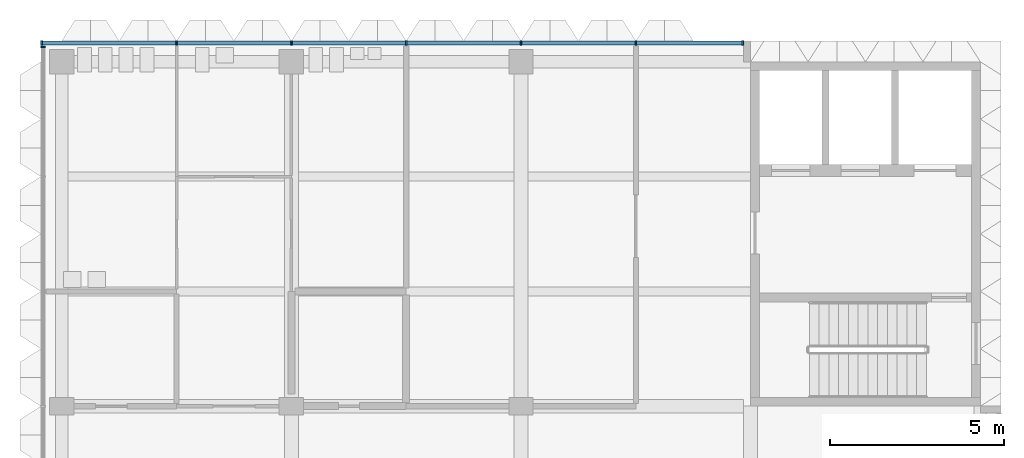
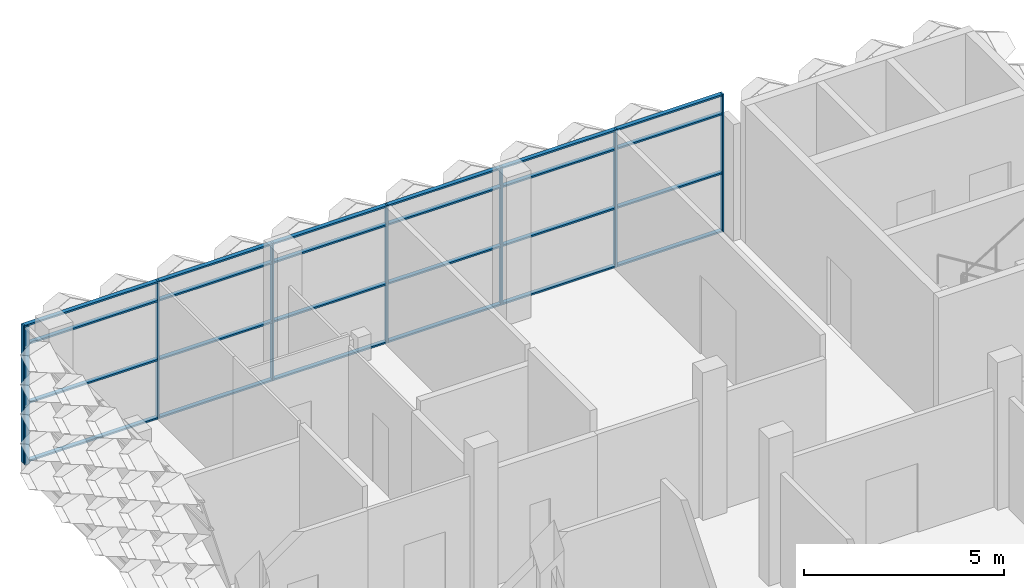
# One storey, part 6 of 28: 32 members, 2 elements without a shape of their own.
"""IFC4 building model written with IfcOpenShell, lengths in metres."""

from ifc_helpers import new_model, si_unit, direction, frame, origin, origin_2d, place, context, subcontext, project, spatial, rectangle, extrude, material, material_profile, profile_set, type_object, element, aggregate, save


model = new_model("IFC4")

# Units and contexts
model_context = context("Model", 3, precision=1e-05, world=origin(), true_north=direction((0.0, 1.0)))
body_context = subcontext(model_context, "Body", "Model", "MODEL_VIEW")
ifc_project = project(units=[si_unit("LENGTHUNIT", "METRE"), si_unit("AREAUNIT", "SQUARE_METRE"), si_unit("VOLUMEUNIT", "CUBIC_METRE"), si_unit("PLANEANGLEUNIT", "RADIAN"), si_unit("MASSUNIT", "GRAM", prefix="KILO")], contexts=[model_context])

# Site, building, storey
site_placement = place(None, origin())
site = spatial("IfcSite", under=ifc_project, at=site_placement, CompositionType="ELEMENT")
building_placement = place(site_placement, origin())
building = spatial("IfcBuilding", under=site, at=building_placement, Name="Lantern Court Research Institute", CompositionType="ELEMENT")
storey_placement = place(building_placement, frame((0.0, 0.0, 36.89990234375)))
storey = spatial("IfcBuildingStorey", under=building, at=storey_placement, Name="L08", CompositionType="ELEMENT", Elevation=36.89990234375)

# Curtain wall, members
ifc_material_1 = material(Name="Aluminium alloy 6063-T6", Category="aluminium")
curtain_wall_type_1 = type_object("IfcCurtainWallType", Name="Curtain wall 20200 x 4200 x 120 aluminium frame", PredefinedType="NOTDEFINED", material=ifc_material_1)
curtain_wall_1_placement = place(storey_placement, origin())
curtain_wall_1 = element("IfcCurtainWall", 1, at=curtain_wall_1_placement, inside=storey, type_object=curtain_wall_type_1, Name="Curtain wall CW086", PredefinedType="NOTDEFINED")
ifc_material_2 = material(Name="Aluminium alloy 6063-T6", Category="aluminium")
ifc_material_profile_1 = material_profile(ifc_material_2, rectangle(XDim=0.1201171875, YDim=0.050048828125, at=origin_2d()), Name="Mullion 120 x 50")
ifc_profile_set_1 = profile_set([ifc_material_profile_1], Name="Aluminium alloy 6063-T6")
member_type_1 = type_object("IfcMemberType", Name="Mullion 120 x 50 aluminium", PredefinedType="MULLION", material=ifc_profile_set_1)
member_1_placement = place(storey_placement, frame((52.22509765625, 23.639892578125, 0.0), z_axis=(0.0, 0.0, 1.0), x_axis=(0.0, 1.0, 0.0)))
member_1 = element("IfcMember", 2, at=member_1_placement, type_object=member_type_1, Name="CW086 mullion 1", PredefinedType="MULLION", context=body_context, shape_type="SweptSolid", body=[
    extrude(rectangle(XDim=0.1201171875, YDim=0.050048828125, at=origin_2d()), origin(), (0.0, 0.0, 1.0), 4.2001953125),
])
member_2_placement = place(storey_placement, frame((56.10009765625, 23.639892578125, 0.0), z_axis=(0.0, 0.0, 1.0), x_axis=(0.0, 1.0, 0.0)))
member_2 = element("IfcMember", 3, at=member_2_placement, type_object=member_type_1, Name="CW086 mullion 2", PredefinedType="MULLION", context=body_context, shape_type="SweptSolid", body=[
    extrude(rectangle(XDim=0.1201171875, YDim=0.050048828125, at=origin_2d()), origin(), (0.0, 0.0, 1.0), 4.2001953125),
])
member_3_placement = place(storey_placement, frame((59.39990234375, 23.639892578125, 0.0), z_axis=(0.0, 0.0, 1.0), x_axis=(0.0, 1.0, 0.0)))
member_3 = element("IfcMember", 4, at=member_3_placement, type_object=member_type_1, Name="CW086 mullion 3", PredefinedType="MULLION", context=body_context, shape_type="SweptSolid", body=[
    extrude(rectangle(XDim=0.1201171875, YDim=0.050048828125, at=origin_2d()), origin(), (0.0, 0.0, 1.0), 4.2001953125),
])
member_4_placement = place(storey_placement, frame((62.699951171875, 23.639892578125, 0.0), z_axis=(0.0, 0.0, 1.0), x_axis=(0.0, 1.0, 0.0)))
member_4 = element("IfcMember", 5, at=member_4_placement, type_object=member_type_1, Name="CW086 mullion 4", PredefinedType="MULLION", context=body_context, shape_type="SweptSolid", body=[
    extrude(rectangle(XDim=0.1201171875, YDim=0.050048828125, at=origin_2d()), origin(), (0.0, 0.0, 1.0), 4.2001953125),
])
member_5_placement = place(storey_placement, frame((66.0, 23.639892578125, 0.0), z_axis=(0.0, 0.0, 1.0), x_axis=(0.0, 1.0, 0.0)))
member_5 = element("IfcMember", 6, at=member_5_placement, type_object=member_type_1, Name="CW086 mullion 5", PredefinedType="MULLION", context=body_context, shape_type="SweptSolid", body=[
    extrude(rectangle(XDim=0.1201171875, YDim=0.050048828125, at=origin_2d()), origin(), (0.0, 0.0, 1.0), 4.2001953125),
])
member_6_placement = place(storey_placement, frame((69.300048828125, 23.639892578125, 0.0), z_axis=(0.0, 0.0, 1.0), x_axis=(0.0, 1.0, 0.0)))
member_6 = element("IfcMember", 7, at=member_6_placement, type_object=member_type_1, Name="CW086 mullion 6", PredefinedType="MULLION", context=body_context, shape_type="SweptSolid", body=[
    extrude(rectangle(XDim=0.1201171875, YDim=0.050048828125, at=origin_2d()), origin(), (0.0, 0.0, 1.0), 4.2001953125),
])
member_7_placement = place(storey_placement, frame((72.375, 23.639892578125, 0.0), z_axis=(0.0, 0.0, 1.0), x_axis=(0.0, 1.0, 0.0)))
member_7 = element("IfcMember", 8, at=member_7_placement, type_object=member_type_1, Name="CW086 mullion 7", PredefinedType="MULLION", context=body_context, shape_type="SweptSolid", body=[
    extrude(rectangle(XDim=0.1201171875, YDim=0.050048828125, at=origin_2d()), origin(), (0.0, 0.0, 1.0), 4.2001953125),
])

# Curtain wall, member
ifc_material_3 = material(Name="Aluminium alloy 6063-T6", Category="aluminium")
curtain_wall_type_2 = type_object("IfcCurtainWallType", Name="Curtain wall 21250 x 4200 x 120 aluminium frame", PredefinedType="NOTDEFINED", material=ifc_material_3)
curtain_wall_2_placement = place(storey_placement, origin())
curtain_wall_2 = element("IfcCurtainWall", 9, at=curtain_wall_2_placement, inside=storey, type_object=curtain_wall_type_2, Name="Curtain wall CW088", PredefinedType="NOTDEFINED")
member_8_placement = place(storey_placement, frame((52.260009765625, 23.52490234375, 0.0), z_axis=(0.0, 0.0, 1.0), x_axis=(-1.0, 0.0, 0.0)))
member_8 = element("IfcMember", 10, at=member_8_placement, type_object=member_type_1, Name="CW088 mullion 8", PredefinedType="MULLION", context=body_context, shape_type="SweptSolid", body=[
    extrude(rectangle(XDim=0.1201171875, YDim=0.050048828125, at=origin_2d()), origin(), (0.0, 0.0, 1.0), 4.2001953125),
])
aggregate(curtain_wall_2, [member_8])

# Member
ifc_material_4 = material(Name="Aluminium alloy 6063-T6", Category="aluminium")
ifc_material_profile_2 = material_profile(ifc_material_4, rectangle(XDim=0.1201171875, YDim=0.050048828125, at=origin_2d()), Name="Transom 120 x 50")
ifc_profile_set_2 = profile_set([ifc_material_profile_2], Name="Aluminium alloy 6063-T6")
member_type_2 = type_object("IfcMemberType", Name="Transom 120 x 50 aluminium", PredefinedType="USERDEFINED", material=ifc_profile_set_2)
member_9_placement = place(storey_placement, frame((52.25, 23.639892578125, 0.025146484375), z_axis=(1.0, 0.0, 0.0), x_axis=(0.0, 1.0, 0.0)))
member_9 = element("IfcMember", 11, at=member_9_placement, type_object=member_type_2, Name="CW086 transom 1.1", ObjectType="TRANSOM", PredefinedType="USERDEFINED", context=body_context, shape_type="SweptSolid", body=[
    extrude(rectangle(XDim=0.1201171875, YDim=0.050048828125, at=origin_2d()), origin(), (0.0, 0.0, 1.0), 3.824951171875),
])

member_10_placement = place(storey_placement, frame((52.25, 23.639892578125, 1.800048828125), z_axis=(1.0, 0.0, 0.0), x_axis=(0.0, 1.0, 0.0)))
member_10 = element("IfcMember", 12, at=member_10_placement, type_object=member_type_2, Name="CW086 transom 1.2", ObjectType="TRANSOM", PredefinedType="USERDEFINED", context=body_context, shape_type="SweptSolid", body=[
    extrude(rectangle(XDim=0.1201171875, YDim=0.050048828125, at=origin_2d()), origin(), (0.0, 0.0, 1.0), 3.824951171875),
])

member_11_placement = place(storey_placement, frame((52.25, 23.639892578125, 3.60009765625), z_axis=(1.0, 0.0, 0.0), x_axis=(0.0, 1.0, 0.0)))
member_11 = element("IfcMember", 13, at=member_11_placement, type_object=member_type_2, Name="CW086 transom 1.3", ObjectType="TRANSOM", PredefinedType="USERDEFINED", context=body_context, shape_type="SweptSolid", body=[
    extrude(rectangle(XDim=0.1201171875, YDim=0.050048828125, at=origin_2d()), origin(), (0.0, 0.0, 1.0), 3.824951171875),
])

member_12_placement = place(storey_placement, frame((52.25, 23.639892578125, 4.175048828125), z_axis=(1.0, 0.0, 0.0), x_axis=(0.0, 1.0, 0.0)))
member_12 = element("IfcMember", 14, at=member_12_placement, type_object=member_type_2, Name="CW086 transom 1.4", ObjectType="TRANSOM", PredefinedType="USERDEFINED", context=body_context, shape_type="SweptSolid", body=[
    extrude(rectangle(XDim=0.1201171875, YDim=0.050048828125, at=origin_2d()), origin(), (0.0, 0.0, 1.0), 3.824951171875),
])

member_13_placement = place(storey_placement, frame((56.125, 23.639892578125, 0.025146484375), z_axis=(1.0, 0.0, 0.0), x_axis=(0.0, 1.0, 0.0)))
member_13 = element("IfcMember", 15, at=member_13_placement, type_object=member_type_2, Name="CW086 transom 2.1", ObjectType="TRANSOM", PredefinedType="USERDEFINED", context=body_context, shape_type="SweptSolid", body=[
    extrude(rectangle(XDim=0.1201171875, YDim=0.050048828125, at=origin_2d()), origin(), (0.0, 0.0, 1.0), 3.25),
])

member_14_placement = place(storey_placement, frame((56.125, 23.639892578125, 1.800048828125), z_axis=(1.0, 0.0, 0.0), x_axis=(0.0, 1.0, 0.0)))
member_14 = element("IfcMember", 16, at=member_14_placement, type_object=member_type_2, Name="CW086 transom 2.2", ObjectType="TRANSOM", PredefinedType="USERDEFINED", context=body_context, shape_type="SweptSolid", body=[
    extrude(rectangle(XDim=0.1201171875, YDim=0.050048828125, at=origin_2d()), origin(), (0.0, 0.0, 1.0), 3.25),
])

member_15_placement = place(storey_placement, frame((56.125, 23.639892578125, 3.60009765625), z_axis=(1.0, 0.0, 0.0), x_axis=(0.0, 1.0, 0.0)))
member_15 = element("IfcMember", 17, at=member_15_placement, type_object=member_type_2, Name="CW086 transom 2.3", ObjectType="TRANSOM", PredefinedType="USERDEFINED", context=body_context, shape_type="SweptSolid", body=[
    extrude(rectangle(XDim=0.1201171875, YDim=0.050048828125, at=origin_2d()), origin(), (0.0, 0.0, 1.0), 3.25),
])

member_16_placement = place(storey_placement, frame((56.125, 23.639892578125, 4.175048828125), z_axis=(1.0, 0.0, 0.0), x_axis=(0.0, 1.0, 0.0)))
member_16 = element("IfcMember", 18, at=member_16_placement, type_object=member_type_2, Name="CW086 transom 2.4", ObjectType="TRANSOM", PredefinedType="USERDEFINED", context=body_context, shape_type="SweptSolid", body=[
    extrude(rectangle(XDim=0.1201171875, YDim=0.050048828125, at=origin_2d()), origin(), (0.0, 0.0, 1.0), 3.25),
])

member_17_placement = place(storey_placement, frame((59.425048828125, 23.639892578125, 0.025146484375), z_axis=(1.0, 0.0, 0.0), x_axis=(0.0, 1.0, 0.0)))
member_17 = element("IfcMember", 19, at=member_17_placement, type_object=member_type_2, Name="CW086 transom 3.1", ObjectType="TRANSOM", PredefinedType="USERDEFINED", context=body_context, shape_type="SweptSolid", body=[
    extrude(rectangle(XDim=0.1201171875, YDim=0.050048828125, at=origin_2d()), origin(), (0.0, 0.0, 1.0), 3.25),
])

member_18_placement = place(storey_placement, frame((59.425048828125, 23.639892578125, 1.800048828125), z_axis=(1.0, 0.0, 0.0), x_axis=(0.0, 1.0, 0.0)))
member_18 = element("IfcMember", 20, at=member_18_placement, type_object=member_type_2, Name="CW086 transom 3.2", ObjectType="TRANSOM", PredefinedType="USERDEFINED", context=body_context, shape_type="SweptSolid", body=[
    extrude(rectangle(XDim=0.1201171875, YDim=0.050048828125, at=origin_2d()), origin(), (0.0, 0.0, 1.0), 3.25),
])

member_19_placement = place(storey_placement, frame((59.425048828125, 23.639892578125, 3.60009765625), z_axis=(1.0, 0.0, 0.0), x_axis=(0.0, 1.0, 0.0)))
member_19 = element("IfcMember", 21, at=member_19_placement, type_object=member_type_2, Name="CW086 transom 3.3", ObjectType="TRANSOM", PredefinedType="USERDEFINED", context=body_context, shape_type="SweptSolid", body=[
    extrude(rectangle(XDim=0.1201171875, YDim=0.050048828125, at=origin_2d()), origin(), (0.0, 0.0, 1.0), 3.25),
])

member_20_placement = place(storey_placement, frame((59.425048828125, 23.639892578125, 4.175048828125), z_axis=(1.0, 0.0, 0.0), x_axis=(0.0, 1.0, 0.0)))
member_20 = element("IfcMember", 22, at=member_20_placement, type_object=member_type_2, Name="CW086 transom 3.4", ObjectType="TRANSOM", PredefinedType="USERDEFINED", context=body_context, shape_type="SweptSolid", body=[
    extrude(rectangle(XDim=0.1201171875, YDim=0.050048828125, at=origin_2d()), origin(), (0.0, 0.0, 1.0), 3.25),
])

member_21_placement = place(storey_placement, frame((62.72509765625, 23.639892578125, 0.025146484375), z_axis=(1.0, 0.0, 0.0), x_axis=(0.0, 1.0, 0.0)))
member_21 = element("IfcMember", 23, at=member_21_placement, type_object=member_type_2, Name="CW086 transom 4.1", ObjectType="TRANSOM", PredefinedType="USERDEFINED", context=body_context, shape_type="SweptSolid", body=[
    extrude(rectangle(XDim=0.1201171875, YDim=0.050048828125, at=origin_2d()), origin(), (0.0, 0.0, 1.0), 3.25),
])

member_22_placement = place(storey_placement, frame((62.72509765625, 23.639892578125, 1.800048828125), z_axis=(1.0, 0.0, 0.0), x_axis=(0.0, 1.0, 0.0)))
member_22 = element("IfcMember", 24, at=member_22_placement, type_object=member_type_2, Name="CW086 transom 4.2", ObjectType="TRANSOM", PredefinedType="USERDEFINED", context=body_context, shape_type="SweptSolid", body=[
    extrude(rectangle(XDim=0.1201171875, YDim=0.050048828125, at=origin_2d()), origin(), (0.0, 0.0, 1.0), 3.25),
])

member_23_placement = place(storey_placement, frame((62.72509765625, 23.639892578125, 3.60009765625), z_axis=(1.0, 0.0, 0.0), x_axis=(0.0, 1.0, 0.0)))
member_23 = element("IfcMember", 25, at=member_23_placement, type_object=member_type_2, Name="CW086 transom 4.3", ObjectType="TRANSOM", PredefinedType="USERDEFINED", context=body_context, shape_type="SweptSolid", body=[
    extrude(rectangle(XDim=0.1201171875, YDim=0.050048828125, at=origin_2d()), origin(), (0.0, 0.0, 1.0), 3.25),
])

member_24_placement = place(storey_placement, frame((62.72509765625, 23.639892578125, 4.175048828125), z_axis=(1.0, 0.0, 0.0), x_axis=(0.0, 1.0, 0.0)))
member_24 = element("IfcMember", 26, at=member_24_placement, type_object=member_type_2, Name="CW086 transom 4.4", ObjectType="TRANSOM", PredefinedType="USERDEFINED", context=body_context, shape_type="SweptSolid", body=[
    extrude(rectangle(XDim=0.1201171875, YDim=0.050048828125, at=origin_2d()), origin(), (0.0, 0.0, 1.0), 3.25),
])

member_25_placement = place(storey_placement, frame((66.02490234375, 23.639892578125, 0.025146484375), z_axis=(1.0, 0.0, 0.0), x_axis=(0.0, 1.0, 0.0)))
member_25 = element("IfcMember", 27, at=member_25_placement, type_object=member_type_2, Name="CW086 transom 5.1", ObjectType="TRANSOM", PredefinedType="USERDEFINED", context=body_context, shape_type="SweptSolid", body=[
    extrude(rectangle(XDim=0.1201171875, YDim=0.050048828125, at=origin_2d()), origin(), (0.0, 0.0, 1.0), 3.25),
])

member_26_placement = place(storey_placement, frame((66.02490234375, 23.639892578125, 1.800048828125), z_axis=(1.0, 0.0, 0.0), x_axis=(0.0, 1.0, 0.0)))
member_26 = element("IfcMember", 28, at=member_26_placement, type_object=member_type_2, Name="CW086 transom 5.2", ObjectType="TRANSOM", PredefinedType="USERDEFINED", context=body_context, shape_type="SweptSolid", body=[
    extrude(rectangle(XDim=0.1201171875, YDim=0.050048828125, at=origin_2d()), origin(), (0.0, 0.0, 1.0), 3.25),
])

member_27_placement = place(storey_placement, frame((66.02490234375, 23.639892578125, 3.60009765625), z_axis=(1.0, 0.0, 0.0), x_axis=(0.0, 1.0, 0.0)))
member_27 = element("IfcMember", 29, at=member_27_placement, type_object=member_type_2, Name="CW086 transom 5.3", ObjectType="TRANSOM", PredefinedType="USERDEFINED", context=body_context, shape_type="SweptSolid", body=[
    extrude(rectangle(XDim=0.1201171875, YDim=0.050048828125, at=origin_2d()), origin(), (0.0, 0.0, 1.0), 3.25),
])

member_28_placement = place(storey_placement, frame((66.02490234375, 23.639892578125, 4.175048828125), z_axis=(1.0, 0.0, 0.0), x_axis=(0.0, 1.0, 0.0)))
member_28 = element("IfcMember", 30, at=member_28_placement, type_object=member_type_2, Name="CW086 transom 5.4", ObjectType="TRANSOM", PredefinedType="USERDEFINED", context=body_context, shape_type="SweptSolid", body=[
    extrude(rectangle(XDim=0.1201171875, YDim=0.050048828125, at=origin_2d()), origin(), (0.0, 0.0, 1.0), 3.25),
])

member_29_placement = place(storey_placement, frame((69.324951171875, 23.639892578125, 0.025146484375), z_axis=(1.0, 0.0, 0.0), x_axis=(0.0, 1.0, 0.0)))
member_29 = element("IfcMember", 31, at=member_29_placement, type_object=member_type_2, Name="CW086 transom 6.1", ObjectType="TRANSOM", PredefinedType="USERDEFINED", context=body_context, shape_type="SweptSolid", body=[
    extrude(rectangle(XDim=0.1201171875, YDim=0.050048828125, at=origin_2d()), origin(), (0.0, 0.0, 1.0), 3.025146484375),
])

member_30_placement = place(storey_placement, frame((69.324951171875, 23.639892578125, 1.800048828125), z_axis=(1.0, 0.0, 0.0), x_axis=(0.0, 1.0, 0.0)))
member_30 = element("IfcMember", 32, at=member_30_placement, type_object=member_type_2, Name="CW086 transom 6.2", ObjectType="TRANSOM", PredefinedType="USERDEFINED", context=body_context, shape_type="SweptSolid", body=[
    extrude(rectangle(XDim=0.1201171875, YDim=0.050048828125, at=origin_2d()), origin(), (0.0, 0.0, 1.0), 3.025146484375),
])

member_31_placement = place(storey_placement, frame((69.324951171875, 23.639892578125, 3.60009765625), z_axis=(1.0, 0.0, 0.0), x_axis=(0.0, 1.0, 0.0)))
member_31 = element("IfcMember", 33, at=member_31_placement, type_object=member_type_2, Name="CW086 transom 6.3", ObjectType="TRANSOM", PredefinedType="USERDEFINED", context=body_context, shape_type="SweptSolid", body=[
    extrude(rectangle(XDim=0.1201171875, YDim=0.050048828125, at=origin_2d()), origin(), (0.0, 0.0, 1.0), 3.025146484375),
])

member_32_placement = place(storey_placement, frame((69.324951171875, 23.639892578125, 4.175048828125), z_axis=(1.0, 0.0, 0.0), x_axis=(0.0, 1.0, 0.0)))
member_32 = element("IfcMember", 34, at=member_32_placement, type_object=member_type_2, Name="CW086 transom 6.4", ObjectType="TRANSOM", PredefinedType="USERDEFINED", context=body_context, shape_type="SweptSolid", body=[
    extrude(rectangle(XDim=0.1201171875, YDim=0.050048828125, at=origin_2d()), origin(), (0.0, 0.0, 1.0), 3.025146484375),
])

aggregate(curtain_wall_1, [member_1, member_2, member_3, member_4, member_5, member_6, member_7, member_9, member_10, member_11, member_12, member_13, member_14, member_15, member_16, member_17, member_18, member_19, member_20, member_21, member_22, member_23, member_24, member_25, member_26, member_27, member_28, member_29, member_30, member_31, member_32])

save(model, "model.ifc")
